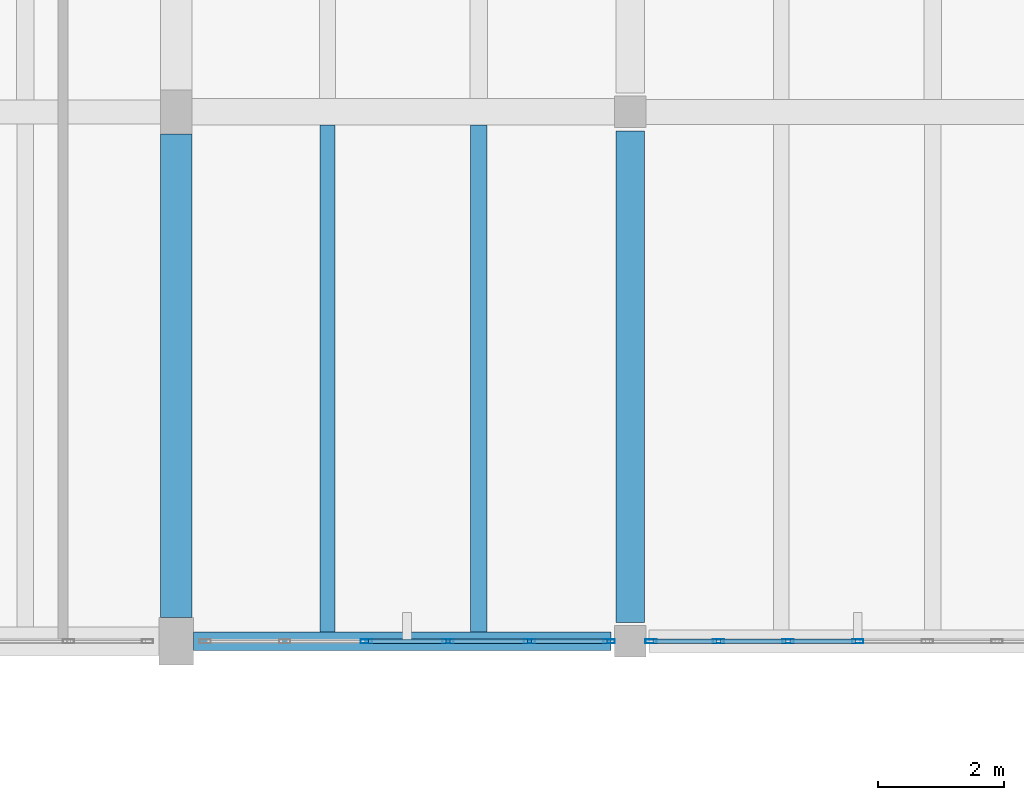
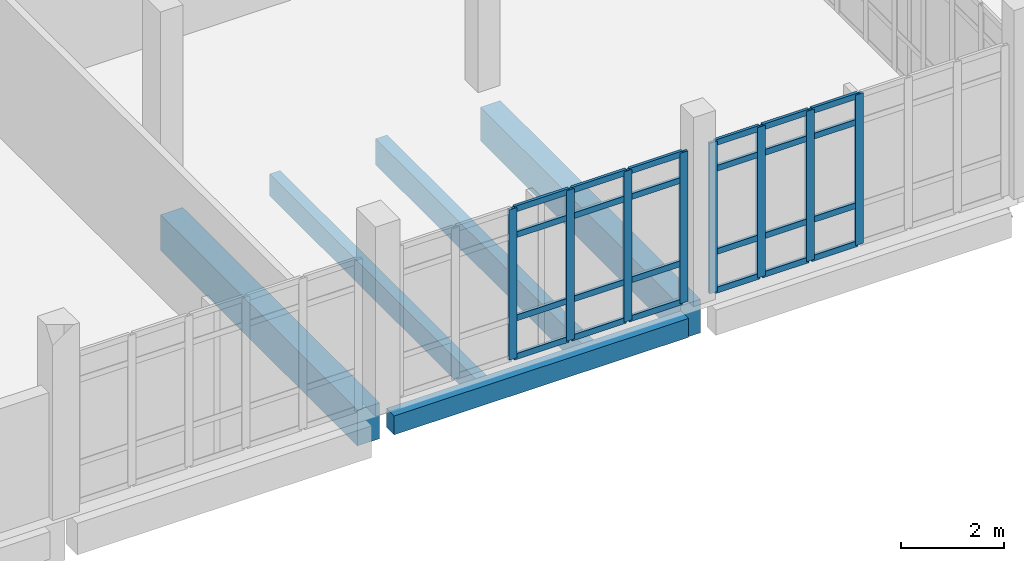
# One storey, part 19 of 41: 32 members, 5 beams, 2 elements without a shape of their own.
"""IFC4 building model written with IfcOpenShell, lengths in metres."""

from ifc_helpers import new_model, si_unit, direction, frame, origin, origin_2d, place, context, subcontext, project, spatial, rectangle, hollow_rectangle, extrude, material, material_profile, profile_set, type_object, element, aggregate, save


model = new_model("IFC4")

# Units and contexts
model_context = context("Model", 3, precision=1e-05, world=origin(), true_north=direction((0.0, 1.0)))
body_context = subcontext(model_context, "Body", "Model", "MODEL_VIEW")
ifc_project = project(units=[si_unit("LENGTHUNIT", "METRE"), si_unit("AREAUNIT", "SQUARE_METRE"), si_unit("VOLUMEUNIT", "CUBIC_METRE"), si_unit("PLANEANGLEUNIT", "RADIAN"), si_unit("MASSUNIT", "GRAM", prefix="KILO")], contexts=[model_context])

# Site, building, storey
site_placement = place(None, origin())
site = spatial("IfcSite", under=ifc_project, at=site_placement, CompositionType="ELEMENT")
building_placement = place(site_placement, origin())
building = spatial("IfcBuilding", under=site, at=building_placement, Name="Kalluvel Institute of Natural Sciences", CompositionType="ELEMENT")
storey_placement = place(building_placement, frame((0.0, 0.0, 32.39990234375)))
storey = spatial("IfcBuildingStorey", under=building, at=storey_placement, Name="L07", CompositionType="ELEMENT", Elevation=32.39990234375)

# Beams
ifc_material_1 = material(Name="Concrete M40", Category="concrete")
ifc_material_profile_1 = material_profile(ifc_material_1, rectangle(XDim=0.449951171875, YDim=0.800048828125, at=origin_2d()), Name="RCB 450x800")
ifc_profile_set_1 = profile_set([ifc_material_profile_1], Name="Concrete M40")
beam_type_1 = type_object("IfcBeamType", Name="BM-RC450x800", PredefinedType="BEAM", material=ifc_profile_set_1)
beam_1_placement = place(storey_placement, frame((93.199951171875, 103.10009765625, -0.719970703125), z_axis=(0.0, 1.0, 0.0), x_axis=(-1.0, 0.0, 0.0)))
element("IfcBeam", 1, at=beam_1_placement, inside=storey, type_object=beam_type_1, Name="L07 girder GIR-L07-NS-X932-Y1028", PredefinedType="BEAM", context=body_context, shape_type="SweptSolid", body=[
    extrude(rectangle(XDim=0.449951171875, YDim=0.800048828125, at=origin_2d()), origin(), (0.0, 0.0, 1.0), 7.7998046875),
])
ifc_material_2 = material(Name="Concrete M50", Category="concrete")
ifc_material_profile_2 = material_profile(ifc_material_2, rectangle(XDim=0.5, YDim=0.85009765625, at=origin_2d()), Name="RCB 500x850")
ifc_profile_set_2 = profile_set([ifc_material_profile_2], Name="Concrete M50")
beam_type_2 = type_object("IfcBeamType", Name="BM-RC500x850", PredefinedType="BEAM", material=ifc_profile_set_2)
beam_2_placement = place(storey_placement, frame((86.0, 103.175048828125, -0.744873046875), z_axis=(0.0, 1.0, 0.0), x_axis=(-1.0, 0.0, 0.0)))
element("IfcBeam", 2, at=beam_2_placement, inside=storey, type_object=beam_type_2, Name="L07 girder GIR-L07-NS-X860-Y1028", PredefinedType="BEAM", context=body_context, shape_type="SweptSolid", body=[
    extrude(rectangle(XDim=0.5, YDim=0.85009765625, at=origin_2d()), origin(), (0.0, 0.0, 1.0), 7.675048828125),
])

# Curtain wall, members
ifc_material_3 = material(Name="Aluminium AW-6063 T6", Category="aluminium")
curtain_wall_type = type_object("IfcCurtainWallType", Name="CW-WET-45", PredefinedType="USERDEFINED", material=ifc_material_3)
curtain_wall_1_placement = place(storey_placement, origin())
curtain_wall_1 = element("IfcCurtainWall", 3, at=curtain_wall_1_placement, inside=storey, type_object=curtain_wall_type, Name="L07 Gothic lancet curtain wall CWA-L07-X864-Y1028", ObjectType="UNITISED LANCET FACADE", PredefinedType="USERDEFINED")
ifc_material_profile_3 = material_profile(ifc_material_3, hollow_rectangle(XDim=0.06494140625, YDim=0.179931640625, WallThickness=0.00439453125, at=origin_2d()), Name="CWM 65x180")
ifc_profile_set_3 = profile_set([ifc_material_profile_3], Name="Aluminium AW-6063 T6")
member_type_1 = type_object("IfcMemberType", Name="CWM-65x180", PredefinedType="MULLION", material=ifc_profile_set_3)
member_1_placement = place(storey_placement, frame((89.014892578125, 102.800048828125, 0.0), z_axis=(0.0, 0.0, 1.0), x_axis=(0.0, 1.0, 0.0)))
member_1 = element("IfcMember", 4, at=member_1_placement, type_object=member_type_1, Name="CW-01 mullion 3", PredefinedType="MULLION", context=body_context, shape_type="SweptSolid", body=[
    extrude(hollow_rectangle(XDim=0.06494140625, YDim=0.179931640625, WallThickness=0.00439453125, at=origin_2d()), origin(), (0.0, 0.0, 1.0), 3.580078125),
])
member_2_placement = place(storey_placement, frame((90.31005859375, 102.800048828125, 0.0), z_axis=(0.0, 0.0, 1.0), x_axis=(0.0, 1.0, 0.0)))
member_2 = element("IfcMember", 5, at=member_2_placement, type_object=member_type_1, Name="CW-01 mullion 4", PredefinedType="MULLION", context=body_context, shape_type="SweptSolid", body=[
    extrude(hollow_rectangle(XDim=0.06494140625, YDim=0.179931640625, WallThickness=0.00439453125, at=origin_2d()), origin(), (0.0, 0.0, 1.0), 3.580078125),
])
member_3_placement = place(storey_placement, frame((91.60498046875, 102.800048828125, 0.0), z_axis=(0.0, 0.0, 1.0), x_axis=(0.0, 1.0, 0.0)))
member_3 = element("IfcMember", 6, at=member_3_placement, type_object=member_type_1, Name="CW-01 mullion 5", PredefinedType="MULLION", context=body_context, shape_type="SweptSolid", body=[
    extrude(hollow_rectangle(XDim=0.06494140625, YDim=0.179931640625, WallThickness=0.00439453125, at=origin_2d()), origin(), (0.0, 0.0, 1.0), 3.580078125),
])
member_4_placement = place(storey_placement, frame((92.867431640625, 102.800048828125, 0.0), z_axis=(0.0, 0.0, 1.0), x_axis=(0.0, 1.0, 0.0)))
member_4 = element("IfcMember", 7, at=member_4_placement, type_object=member_type_1, Name="CW-01 mullion 6", PredefinedType="MULLION", context=body_context, shape_type="SweptSolid", body=[
    extrude(hollow_rectangle(XDim=0.06494140625, YDim=0.179931640625, WallThickness=0.00439453125, at=origin_2d()), origin(), (0.0, 0.0, 1.0), 3.580078125),
])

curtain_wall_2_placement = place(storey_placement, origin())
curtain_wall_2 = element("IfcCurtainWall", 8, at=curtain_wall_2_placement, inside=storey, type_object=curtain_wall_type, Name="L07 Gothic lancet curtain wall CWA-L07-X935-Y1028", ObjectType="UNITISED LANCET FACADE", PredefinedType="USERDEFINED")
member_5_placement = place(storey_placement, frame((93.532470703125, 102.800048828125, 0.0), z_axis=(0.0, 0.0, 1.0), x_axis=(0.0, 1.0, 0.0)))
member_5 = element("IfcMember", 9, at=member_5_placement, type_object=member_type_1, Name="CW-01 mullion 1", PredefinedType="MULLION", context=body_context, shape_type="SweptSolid", body=[
    extrude(hollow_rectangle(XDim=0.06494140625, YDim=0.179931640625, WallThickness=0.00439453125, at=origin_2d()), origin(), (0.0, 0.0, 1.0), 3.580078125),
])
member_6_placement = place(storey_placement, frame((94.604248046875, 102.800048828125, 0.0), z_axis=(0.0, 0.0, 1.0), x_axis=(0.0, 1.0, 0.0)))
member_6 = element("IfcMember", 10, at=member_6_placement, type_object=member_type_1, Name="CW-01 mullion 2", PredefinedType="MULLION", context=body_context, shape_type="SweptSolid", body=[
    extrude(hollow_rectangle(XDim=0.06494140625, YDim=0.179931640625, WallThickness=0.00439453125, at=origin_2d()), origin(), (0.0, 0.0, 1.0), 3.580078125),
])
member_7_placement = place(storey_placement, frame((95.708251953125, 102.800048828125, 0.0), z_axis=(0.0, 0.0, 1.0), x_axis=(0.0, 1.0, 0.0)))
member_7 = element("IfcMember", 11, at=member_7_placement, type_object=member_type_1, Name="CW-01 mullion 3", PredefinedType="MULLION", context=body_context, shape_type="SweptSolid", body=[
    extrude(hollow_rectangle(XDim=0.06494140625, YDim=0.179931640625, WallThickness=0.00439453125, at=origin_2d()), origin(), (0.0, 0.0, 1.0), 3.580078125),
])
member_8_placement = place(storey_placement, frame((96.8125, 102.800048828125, 0.0), z_axis=(0.0, 0.0, 1.0), x_axis=(0.0, 1.0, 0.0)))
member_8 = element("IfcMember", 12, at=member_8_placement, type_object=member_type_1, Name="CW-01 mullion 4", PredefinedType="MULLION", context=body_context, shape_type="SweptSolid", body=[
    extrude(hollow_rectangle(XDim=0.06494140625, YDim=0.179931640625, WallThickness=0.00439453125, at=origin_2d()), origin(), (0.0, 0.0, 1.0), 3.580078125),
])

# Member
ifc_material_profile_4 = material_profile(ifc_material_3, hollow_rectangle(XDim=0.06494140625, YDim=0.139892578125, WallThickness=0.00439453125, at=origin_2d()), Name="CWT 65x140")
ifc_profile_set_4 = profile_set([ifc_material_profile_4], Name="Aluminium AW-6063 T6")
member_type_2 = type_object("IfcMemberType", Name="CWT-65x140", PredefinedType="USERDEFINED", material=ifc_profile_set_4)
member_9_placement = place(storey_placement, frame((89.047607421875, 102.800048828125, 0.03271484375), z_axis=(1.0, 0.0, 0.0), x_axis=(0.0, 1.0, 0.0)))
member_9 = element("IfcMember", 13, at=member_9_placement, type_object=member_type_2, Name="CW-01 transom 3.1", ObjectType="TRANSOM", PredefinedType="USERDEFINED", context=body_context, shape_type="SweptSolid", body=[
    extrude(hollow_rectangle(XDim=0.06494140625, YDim=0.139892578125, WallThickness=0.00439453125, at=origin_2d()), origin(), (0.0, 0.0, 1.0), 1.22998046875),
])

member_10_placement = place(storey_placement, frame((89.047607421875, 102.800048828125, 0.9501953125), z_axis=(1.0, 0.0, 0.0), x_axis=(0.0, 1.0, 0.0)))
member_10 = element("IfcMember", 14, at=member_10_placement, type_object=member_type_2, Name="CW-01 transom 3.2", ObjectType="TRANSOM", PredefinedType="USERDEFINED", context=body_context, shape_type="SweptSolid", body=[
    extrude(hollow_rectangle(XDim=0.06494140625, YDim=0.139892578125, WallThickness=0.00439453125, at=origin_2d()), origin(), (0.0, 0.0, 1.0), 1.22998046875),
])

member_11_placement = place(storey_placement, frame((89.047607421875, 102.800048828125, 2.93017578125), z_axis=(1.0, 0.0, 0.0), x_axis=(0.0, 1.0, 0.0)))
member_11 = element("IfcMember", 15, at=member_11_placement, type_object=member_type_2, Name="CW-01 transom 3.3", ObjectType="TRANSOM", PredefinedType="USERDEFINED", context=body_context, shape_type="SweptSolid", body=[
    extrude(hollow_rectangle(XDim=0.06494140625, YDim=0.139892578125, WallThickness=0.00439453125, at=origin_2d()), origin(), (0.0, 0.0, 1.0), 1.22998046875),
])

member_12_placement = place(storey_placement, frame((89.047607421875, 102.800048828125, 3.547607421875), z_axis=(1.0, 0.0, 0.0), x_axis=(0.0, 1.0, 0.0)))
member_12 = element("IfcMember", 16, at=member_12_placement, type_object=member_type_2, Name="CW-01 transom 3.4", ObjectType="TRANSOM", PredefinedType="USERDEFINED", context=body_context, shape_type="SweptSolid", body=[
    extrude(hollow_rectangle(XDim=0.06494140625, YDim=0.139892578125, WallThickness=0.00439453125, at=origin_2d()), origin(), (0.0, 0.0, 1.0), 1.22998046875),
])

member_13_placement = place(storey_placement, frame((90.342529296875, 102.800048828125, 0.03271484375), z_axis=(1.0, 0.0, 0.0), x_axis=(0.0, 1.0, 0.0)))
member_13 = element("IfcMember", 17, at=member_13_placement, type_object=member_type_2, Name="CW-01 transom 4.1", ObjectType="TRANSOM", PredefinedType="USERDEFINED", context=body_context, shape_type="SweptSolid", body=[
    extrude(hollow_rectangle(XDim=0.06494140625, YDim=0.139892578125, WallThickness=0.00439453125, at=origin_2d()), origin(), (0.0, 0.0, 1.0), 1.22998046875),
])

member_14_placement = place(storey_placement, frame((90.342529296875, 102.800048828125, 0.9501953125), z_axis=(1.0, 0.0, 0.0), x_axis=(0.0, 1.0, 0.0)))
member_14 = element("IfcMember", 18, at=member_14_placement, type_object=member_type_2, Name="CW-01 transom 4.2", ObjectType="TRANSOM", PredefinedType="USERDEFINED", context=body_context, shape_type="SweptSolid", body=[
    extrude(hollow_rectangle(XDim=0.06494140625, YDim=0.139892578125, WallThickness=0.00439453125, at=origin_2d()), origin(), (0.0, 0.0, 1.0), 1.22998046875),
])

member_15_placement = place(storey_placement, frame((90.342529296875, 102.800048828125, 2.93017578125), z_axis=(1.0, 0.0, 0.0), x_axis=(0.0, 1.0, 0.0)))
member_15 = element("IfcMember", 19, at=member_15_placement, type_object=member_type_2, Name="CW-01 transom 4.3", ObjectType="TRANSOM", PredefinedType="USERDEFINED", context=body_context, shape_type="SweptSolid", body=[
    extrude(hollow_rectangle(XDim=0.06494140625, YDim=0.139892578125, WallThickness=0.00439453125, at=origin_2d()), origin(), (0.0, 0.0, 1.0), 1.22998046875),
])

member_16_placement = place(storey_placement, frame((90.342529296875, 102.800048828125, 3.547607421875), z_axis=(1.0, 0.0, 0.0), x_axis=(0.0, 1.0, 0.0)))
member_16 = element("IfcMember", 20, at=member_16_placement, type_object=member_type_2, Name="CW-01 transom 4.4", ObjectType="TRANSOM", PredefinedType="USERDEFINED", context=body_context, shape_type="SweptSolid", body=[
    extrude(hollow_rectangle(XDim=0.06494140625, YDim=0.139892578125, WallThickness=0.00439453125, at=origin_2d()), origin(), (0.0, 0.0, 1.0), 1.22998046875),
])

member_17_placement = place(storey_placement, frame((91.637451171875, 102.800048828125, 0.03271484375), z_axis=(1.0, 0.0, 0.0), x_axis=(0.0, 1.0, 0.0)))
member_17 = element("IfcMember", 21, at=member_17_placement, type_object=member_type_2, Name="CW-01 transom 5.1", ObjectType="TRANSOM", PredefinedType="USERDEFINED", context=body_context, shape_type="SweptSolid", body=[
    extrude(hollow_rectangle(XDim=0.06494140625, YDim=0.139892578125, WallThickness=0.00439453125, at=origin_2d()), origin(), (0.0, 0.0, 1.0), 1.197509765625),
])

member_18_placement = place(storey_placement, frame((91.637451171875, 102.800048828125, 0.9501953125), z_axis=(1.0, 0.0, 0.0), x_axis=(0.0, 1.0, 0.0)))
member_18 = element("IfcMember", 22, at=member_18_placement, type_object=member_type_2, Name="CW-01 transom 5.2", ObjectType="TRANSOM", PredefinedType="USERDEFINED", context=body_context, shape_type="SweptSolid", body=[
    extrude(hollow_rectangle(XDim=0.06494140625, YDim=0.139892578125, WallThickness=0.00439453125, at=origin_2d()), origin(), (0.0, 0.0, 1.0), 1.197509765625),
])

member_19_placement = place(storey_placement, frame((91.637451171875, 102.800048828125, 2.93017578125), z_axis=(1.0, 0.0, 0.0), x_axis=(0.0, 1.0, 0.0)))
member_19 = element("IfcMember", 23, at=member_19_placement, type_object=member_type_2, Name="CW-01 transom 5.3", ObjectType="TRANSOM", PredefinedType="USERDEFINED", context=body_context, shape_type="SweptSolid", body=[
    extrude(hollow_rectangle(XDim=0.06494140625, YDim=0.139892578125, WallThickness=0.00439453125, at=origin_2d()), origin(), (0.0, 0.0, 1.0), 1.197509765625),
])

member_20_placement = place(storey_placement, frame((91.637451171875, 102.800048828125, 3.547607421875), z_axis=(1.0, 0.0, 0.0), x_axis=(0.0, 1.0, 0.0)))
member_20 = element("IfcMember", 24, at=member_20_placement, type_object=member_type_2, Name="CW-01 transom 5.4", ObjectType="TRANSOM", PredefinedType="USERDEFINED", context=body_context, shape_type="SweptSolid", body=[
    extrude(hollow_rectangle(XDim=0.06494140625, YDim=0.139892578125, WallThickness=0.00439453125, at=origin_2d()), origin(), (0.0, 0.0, 1.0), 1.197509765625),
])

aggregate(curtain_wall_1, [member_1, member_2, member_3, member_4, member_9, member_10, member_11, member_12, member_13, member_14, member_15, member_16, member_17, member_18, member_19, member_20])

member_21_placement = place(storey_placement, frame((93.56494140625, 102.800048828125, 0.03271484375), z_axis=(1.0, 0.0, 0.0), x_axis=(0.0, 1.0, 0.0)))
member_21 = element("IfcMember", 25, at=member_21_placement, type_object=member_type_2, Name="CW-01 transom 1.1", ObjectType="TRANSOM", PredefinedType="USERDEFINED", context=body_context, shape_type="SweptSolid", body=[
    extrude(hollow_rectangle(XDim=0.06494140625, YDim=0.139892578125, WallThickness=0.00439453125, at=origin_2d()), origin(), (0.0, 0.0, 1.0), 1.0068359375),
])

member_22_placement = place(storey_placement, frame((93.56494140625, 102.800048828125, 0.9501953125), z_axis=(1.0, 0.0, 0.0), x_axis=(0.0, 1.0, 0.0)))
member_22 = element("IfcMember", 26, at=member_22_placement, type_object=member_type_2, Name="CW-01 transom 1.2", ObjectType="TRANSOM", PredefinedType="USERDEFINED", context=body_context, shape_type="SweptSolid", body=[
    extrude(hollow_rectangle(XDim=0.06494140625, YDim=0.139892578125, WallThickness=0.00439453125, at=origin_2d()), origin(), (0.0, 0.0, 1.0), 1.0068359375),
])

member_23_placement = place(storey_placement, frame((93.56494140625, 102.800048828125, 2.93017578125), z_axis=(1.0, 0.0, 0.0), x_axis=(0.0, 1.0, 0.0)))
member_23 = element("IfcMember", 27, at=member_23_placement, type_object=member_type_2, Name="CW-01 transom 1.3", ObjectType="TRANSOM", PredefinedType="USERDEFINED", context=body_context, shape_type="SweptSolid", body=[
    extrude(hollow_rectangle(XDim=0.06494140625, YDim=0.139892578125, WallThickness=0.00439453125, at=origin_2d()), origin(), (0.0, 0.0, 1.0), 1.0068359375),
])

member_24_placement = place(storey_placement, frame((93.56494140625, 102.800048828125, 3.547607421875), z_axis=(1.0, 0.0, 0.0), x_axis=(0.0, 1.0, 0.0)))
member_24 = element("IfcMember", 28, at=member_24_placement, type_object=member_type_2, Name="CW-01 transom 1.4", ObjectType="TRANSOM", PredefinedType="USERDEFINED", context=body_context, shape_type="SweptSolid", body=[
    extrude(hollow_rectangle(XDim=0.06494140625, YDim=0.139892578125, WallThickness=0.00439453125, at=origin_2d()), origin(), (0.0, 0.0, 1.0), 1.0068359375),
])

member_25_placement = place(storey_placement, frame((94.63671875, 102.800048828125, 0.03271484375), z_axis=(1.0, 0.0, 0.0), x_axis=(0.0, 1.0, 0.0)))
member_25 = element("IfcMember", 29, at=member_25_placement, type_object=member_type_2, Name="CW-01 transom 2.1", ObjectType="TRANSOM", PredefinedType="USERDEFINED", context=body_context, shape_type="SweptSolid", body=[
    extrude(hollow_rectangle(XDim=0.06494140625, YDim=0.139892578125, WallThickness=0.00439453125, at=origin_2d()), origin(), (0.0, 0.0, 1.0), 1.0390625),
])

member_26_placement = place(storey_placement, frame((94.63671875, 102.800048828125, 0.9501953125), z_axis=(1.0, 0.0, 0.0), x_axis=(0.0, 1.0, 0.0)))
member_26 = element("IfcMember", 30, at=member_26_placement, type_object=member_type_2, Name="CW-01 transom 2.2", ObjectType="TRANSOM", PredefinedType="USERDEFINED", context=body_context, shape_type="SweptSolid", body=[
    extrude(hollow_rectangle(XDim=0.06494140625, YDim=0.139892578125, WallThickness=0.00439453125, at=origin_2d()), origin(), (0.0, 0.0, 1.0), 1.0390625),
])

member_27_placement = place(storey_placement, frame((94.63671875, 102.800048828125, 2.93017578125), z_axis=(1.0, 0.0, 0.0), x_axis=(0.0, 1.0, 0.0)))
member_27 = element("IfcMember", 31, at=member_27_placement, type_object=member_type_2, Name="CW-01 transom 2.3", ObjectType="TRANSOM", PredefinedType="USERDEFINED", context=body_context, shape_type="SweptSolid", body=[
    extrude(hollow_rectangle(XDim=0.06494140625, YDim=0.139892578125, WallThickness=0.00439453125, at=origin_2d()), origin(), (0.0, 0.0, 1.0), 1.0390625),
])

member_28_placement = place(storey_placement, frame((94.63671875, 102.800048828125, 3.547607421875), z_axis=(1.0, 0.0, 0.0), x_axis=(0.0, 1.0, 0.0)))
member_28 = element("IfcMember", 32, at=member_28_placement, type_object=member_type_2, Name="CW-01 transom 2.4", ObjectType="TRANSOM", PredefinedType="USERDEFINED", context=body_context, shape_type="SweptSolid", body=[
    extrude(hollow_rectangle(XDim=0.06494140625, YDim=0.139892578125, WallThickness=0.00439453125, at=origin_2d()), origin(), (0.0, 0.0, 1.0), 1.0390625),
])

member_29_placement = place(storey_placement, frame((95.74072265625, 102.800048828125, 0.03271484375), z_axis=(1.0, 0.0, 0.0), x_axis=(0.0, 1.0, 0.0)))
member_29 = element("IfcMember", 33, at=member_29_placement, type_object=member_type_2, Name="CW-01 transom 3.1", ObjectType="TRANSOM", PredefinedType="USERDEFINED", context=body_context, shape_type="SweptSolid", body=[
    extrude(hollow_rectangle(XDim=0.06494140625, YDim=0.139892578125, WallThickness=0.00439453125, at=origin_2d()), origin(), (0.0, 0.0, 1.0), 1.039306640625),
])

member_30_placement = place(storey_placement, frame((95.74072265625, 102.800048828125, 0.9501953125), z_axis=(1.0, 0.0, 0.0), x_axis=(0.0, 1.0, 0.0)))
member_30 = element("IfcMember", 34, at=member_30_placement, type_object=member_type_2, Name="CW-01 transom 3.2", ObjectType="TRANSOM", PredefinedType="USERDEFINED", context=body_context, shape_type="SweptSolid", body=[
    extrude(hollow_rectangle(XDim=0.06494140625, YDim=0.139892578125, WallThickness=0.00439453125, at=origin_2d()), origin(), (0.0, 0.0, 1.0), 1.039306640625),
])

member_31_placement = place(storey_placement, frame((95.74072265625, 102.800048828125, 2.93017578125), z_axis=(1.0, 0.0, 0.0), x_axis=(0.0, 1.0, 0.0)))
member_31 = element("IfcMember", 35, at=member_31_placement, type_object=member_type_2, Name="CW-01 transom 3.3", ObjectType="TRANSOM", PredefinedType="USERDEFINED", context=body_context, shape_type="SweptSolid", body=[
    extrude(hollow_rectangle(XDim=0.06494140625, YDim=0.139892578125, WallThickness=0.00439453125, at=origin_2d()), origin(), (0.0, 0.0, 1.0), 1.039306640625),
])

member_32_placement = place(storey_placement, frame((95.74072265625, 102.800048828125, 3.547607421875), z_axis=(1.0, 0.0, 0.0), x_axis=(0.0, 1.0, 0.0)))
member_32 = element("IfcMember", 36, at=member_32_placement, type_object=member_type_2, Name="CW-01 transom 3.4", ObjectType="TRANSOM", PredefinedType="USERDEFINED", context=body_context, shape_type="SweptSolid", body=[
    extrude(hollow_rectangle(XDim=0.06494140625, YDim=0.139892578125, WallThickness=0.00439453125, at=origin_2d()), origin(), (0.0, 0.0, 1.0), 1.039306640625),
])

aggregate(curtain_wall_2, [member_5, member_6, member_7, member_8, member_21, member_22, member_23, member_24, member_25, member_26, member_27, member_28, member_29, member_30, member_31, member_32])

# Beams
ifc_material_profile_5 = material_profile(ifc_material_1, rectangle(XDim=0.300048828125, YDim=0.449951171875, at=origin_2d()), Name="RCB 300x450")
ifc_profile_set_5 = profile_set([ifc_material_profile_5], Name="Concrete M40")
beam_type_3 = type_object("IfcBeamType", Name="SP-RC300x450", PredefinedType="SPANDREL", material=ifc_profile_set_5)
beam_3_placement = place(storey_placement, frame((86.27490234375, 102.800048828125, -0.544921875), z_axis=(1.0, 0.0, 0.0), x_axis=(0.0, 1.0, 0.0)))
element("IfcBeam", 37, at=beam_3_placement, inside=storey, type_object=beam_type_3, Name="L07 girder GIR-L07-EW-X860-Y1028", PredefinedType="SPANDREL", context=body_context, shape_type="SweptSolid", body=[
    extrude(rectangle(XDim=0.300048828125, YDim=0.449951171875, at=origin_2d()), origin(), (0.0, 0.0, 1.0), 6.625),
])
ifc_material_profile_6 = material_profile(ifc_material_1, rectangle(XDim=0.239990234375, YDim=0.52001953125, at=origin_2d()), Name="WAF 240x520")
ifc_profile_set_6 = profile_set([ifc_material_profile_6], Name="Concrete M40")
beam_type_4 = type_object("IfcBeamType", Name="WJ-240x520", PredefinedType="JOIST", material=ifc_profile_set_6)
beam_4_placement = place(storey_placement, frame((88.39990234375, 102.949951171875, -0.579833984375), z_axis=(0.0, 1.0, 0.0), x_axis=(-1.0, 0.0, 0.0)))
element("IfcBeam", 38, at=beam_4_placement, inside=storey, type_object=beam_type_4, Name="L07 waffle joist RIB-L07-0563", PredefinedType="JOIST", context=body_context, shape_type="SweptSolid", body=[
    extrude(rectangle(XDim=0.239990234375, YDim=0.52001953125, at=origin_2d()), origin(), (0.0, 0.0, 1.0), 8.0400390625),
])
ifc_material_profile_7 = material_profile(ifc_material_2, rectangle(XDim=0.260009765625, YDim=0.6201171875, at=origin_2d()), Name="WAF 260x620")
ifc_profile_set_7 = profile_set([ifc_material_profile_7], Name="Concrete M50")
beam_type_5 = type_object("IfcBeamType", Name="WJ-260x620", PredefinedType="JOIST", material=ifc_profile_set_7)
beam_5_placement = place(storey_placement, frame((90.800048828125, 102.949951171875, -0.6298828125), z_axis=(0.0, 1.0, 0.0), x_axis=(-1.0, 0.0, 0.0)))
element("IfcBeam", 39, at=beam_5_placement, inside=storey, type_object=beam_type_5, Name="L07 waffle joist RIB-L07-0564", PredefinedType="JOIST", context=body_context, shape_type="SweptSolid", body=[
    extrude(rectangle(XDim=0.260009765625, YDim=0.6201171875, at=origin_2d()), origin(), (0.0, 0.0, 1.0), 8.0400390625),
])

save(model, "model.ifc")
